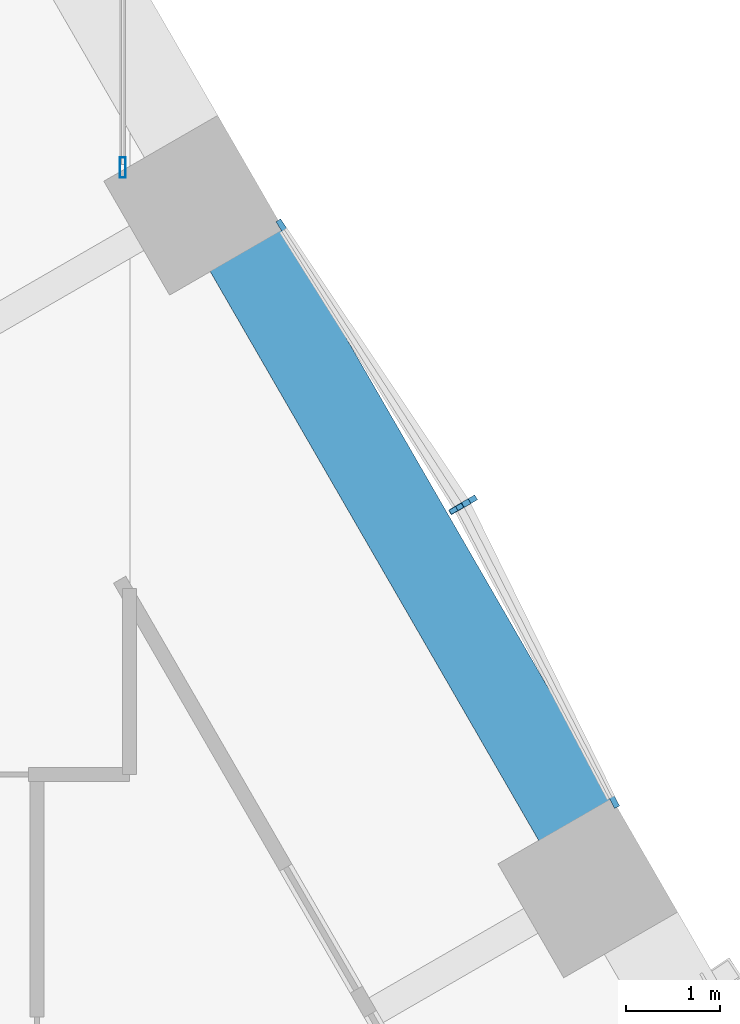
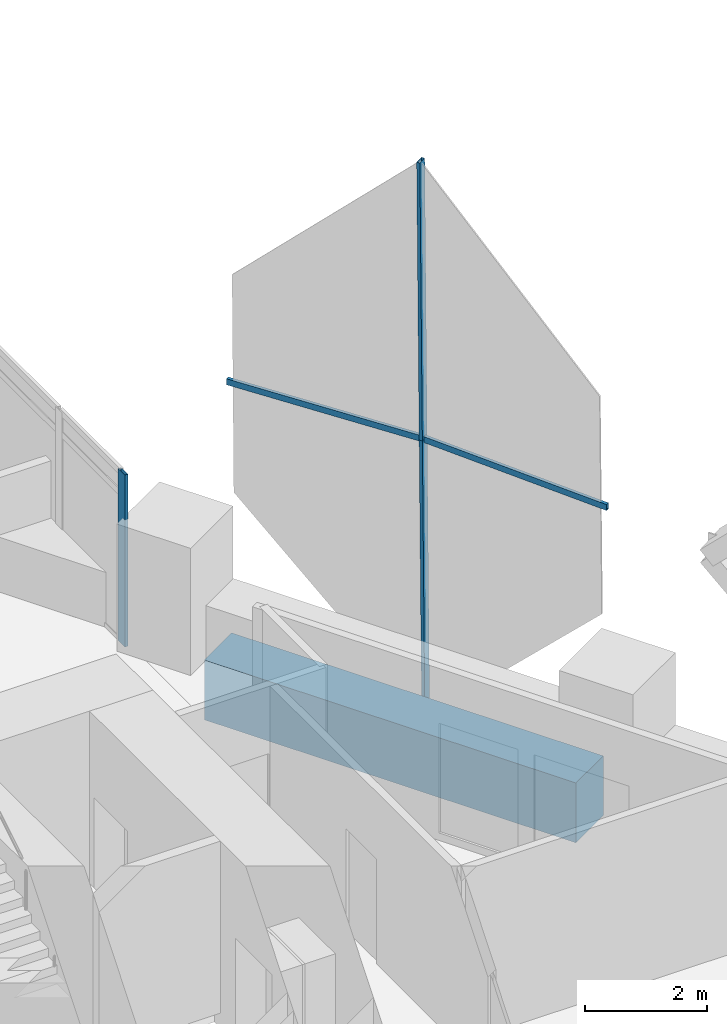
# One storey, part 20 of 35: 5 members, 1 beam, 3 elements without a shape of their own.
"""IFC4 building model written with IfcOpenShell, lengths in metres."""

import ifcopenshell
import ifcopenshell.guid

model = None  # the IFC model being written
_history = None  # IfcOwnerHistory: only IFC2X3 demands one
_inside = {}  # id of a spatial element -> (the spatial element, [elements in it])
_under = {}  # id of a project, library or spatial element -> (it, [spatial elements below it])
_declared = {}  # id of a project -> (the project, [libraries it declares])
_typed = {}  # id of a type object -> (the type object, [elements of that type])
_made_of = {}  # id of a material, layer set ... -> (it, [elements and type objects made of it])


def new_model(schema):
    """Start an empty IFC model of exactly this schema.

    Asked for "IFC4X3", IfcOpenShell would pick the latest addendum, in which some entities
    have other attributes; the version numbers below select the first issue.
    IFC2X3 requires an IfcOwnerHistory on every rooted entity: one is made here for all.
    """
    global model, _history
    if schema == "IFC4X3":
        model = ifcopenshell.file(schema_version=(4, 3, 0, 0))
    else:
        model = ifcopenshell.file(schema=schema)
    _inside.clear()
    _under.clear()
    _declared.clear()
    _typed.clear()
    _made_of.clear()
    _history = None
    if model.schema == "IFC2X3":
        org = make("IfcOrganization", Name="unknown")
        user = make(
            "IfcPersonAndOrganization",
            ThePerson=make("IfcPerson", FamilyName="unknown"),
            TheOrganization=org,
        )
        app = make(
            "IfcApplication",
            ApplicationDeveloper=org,
            Version="unknown",
            ApplicationFullName="unknown",
            ApplicationIdentifier="unknown",
        )
        _history = make(
            "IfcOwnerHistory",
            OwningUser=user,
            OwningApplication=app,
            ChangeAction="ADDED",
            CreationDate=0,
        )
    return model


def make(cls, **values):
    """One entity of the class cls with the attributes given. An attribute that is None is left unset."""
    return model.create_entity(
        cls, **{name: value for name, value in values.items() if value is not None}
    )


def rooted(cls, **values):
    """An entity with a GlobalId (a new one), such as an element, a storey or a relation."""
    return make(cls, GlobalId=ifcopenshell.guid.new(), OwnerHistory=_history, **values)


def si_unit(unit_type, name, prefix=None):
    """IfcSIUnit, for example si_unit("LENGTHUNIT", "METRE", prefix="MILLI")."""
    return make("IfcSIUnit", UnitType=unit_type, Prefix=prefix, Name=name)


def assignment(units):
    """IfcUnitAssignment: the units of a project."""
    return None if units is None else make("IfcUnitAssignment", Units=units)


def point(xyz):
    """IfcCartesianPoint."""
    return None if xyz is None else make("IfcCartesianPoint", Coordinates=xyz)


def direction(xyz):
    """IfcDirection."""
    return None if xyz is None else make("IfcDirection", DirectionRatios=xyz)


def frame(location, z_axis=None, x_axis=None):
    """IfcAxis2Placement3D, a coordinate frame: its origin and axes. An axis left out is left unset."""
    return make(
        "IfcAxis2Placement3D",
        Location=point(location),
        Axis=direction(z_axis),
        RefDirection=direction(x_axis),
    )


def frame_2d(location, x_axis=None):
    """IfcAxis2Placement2D, a coordinate frame in the plane: its origin and x axis."""
    return make(
        "IfcAxis2Placement2D", Location=point(location), RefDirection=direction(x_axis)
    )


def origin():
    """The frame at (0, 0, 0) with its axes left unset."""
    return frame((0.0, 0.0, 0.0))


def origin_2d():
    """The frame at (0, 0) in the plane with its x axis left unset."""
    return frame_2d((0.0, 0.0))


def place(relative_to, where):
    """IfcLocalPlacement: puts the frame where relative to a parent placement (None: the world)."""
    return make(
        "IfcLocalPlacement", PlacementRelTo=relative_to, RelativePlacement=where
    )


def context(
    kind, dimensions, precision=None, world=None, true_north=None, identifier=None
):
    """IfcGeometricRepresentationContext, for example the 3D "Model" context."""
    return make(
        "IfcGeometricRepresentationContext",
        ContextIdentifier=identifier,
        ContextType=kind,
        CoordinateSpaceDimension=dimensions,
        Precision=precision,
        WorldCoordinateSystem=world,
        TrueNorth=true_north,
    )


def subcontext(parent, identifier, kind, view, scale=None):
    """IfcGeometricRepresentationSubContext, for example "Body" below "Model"."""
    return make(
        "IfcGeometricRepresentationSubContext",
        ContextIdentifier=identifier,
        ContextType=kind,
        ParentContext=parent,
        TargetScale=scale,
        TargetView=view,
    )


def project(units=None, contexts=None):
    """IfcProject with its units and contexts."""
    return rooted(
        "IfcProject",
        Name="project",
        RepresentationContexts=contexts,
        UnitsInContext=assignment(units),
    )


def spatial(cls, under=None, at=None, **own):
    """A site, building, storey or space (cls), placed at a placement, below another one or the project."""
    s = rooted(cls, ObjectPlacement=at, **own)
    if under is not None:
        _under.setdefault(under.id(), (under, []))[1].append(s)
    return s


def profile(cls, at=None, kind="AREA", **sizes):
    """A parametric profile (cls). Its sizes go by their IFC names, for example OverallWidth=200.0."""
    return make(cls, ProfileType=kind, Position=at, **sizes)


def rectangle(**sizes):
    """IfcRectangleProfileDef."""
    return profile("IfcRectangleProfileDef", **sizes)


def hollow_rectangle(**sizes):
    """IfcRectangleHollowProfileDef."""
    return profile("IfcRectangleHollowProfileDef", **sizes)


def extrude(swept, where, along, depth):
    """IfcExtrudedAreaSolid: the profile swept, set in the frame where, extruded along a direction by depth."""
    return make(
        "IfcExtrudedAreaSolid",
        SweptArea=swept,
        Position=where,
        ExtrudedDirection=direction(along),
        Depth=depth,
    )


def shape(context_of_items, identifier, shape_type, items):
    """IfcShapeRepresentation: the items that make up one representation, for example the "Body"."""
    return make(
        "IfcShapeRepresentation",
        ContextOfItems=context_of_items,
        RepresentationIdentifier=identifier,
        RepresentationType=shape_type,
        Items=items,
    )


def material(Name=None, Category=None):
    """IfcMaterial."""
    return make("IfcMaterial", Name=Name, Category=Category)


def material_profile(
    of_material, cross_section, Name=None, Category=None, Priority=None
):
    """IfcMaterialProfile: a cross section and its material."""
    return make(
        "IfcMaterialProfile",
        Name=Name,
        Material=of_material,
        Profile=cross_section,
        Priority=Priority,
        Category=Category,
    )


def profile_set(profiles, Name=None, composite=None):
    """IfcMaterialProfileSet."""
    return make(
        "IfcMaterialProfileSet",
        Name=Name,
        MaterialProfiles=profiles,
        CompositeProfile=composite,
    )


def made_of(thing, what):
    """Note that an element or type object is made of a material, layer set ...; save() writes the relation."""
    if what is not None:
        _made_of.setdefault(what.id(), (what, []))[1].append(thing)
    return thing


def type_object(cls, material=None, **own):
    """A type object (cls), such as IfcWallType, which elements share."""
    return made_of(rooted(cls, **own), material)


def element(
    cls,
    number,
    at=None,
    inside=None,
    cuts=None,
    type_object=None,
    material=None,
    context=None,
    identifier="Body",
    shape_type=None,
    held_by="IfcProductDefinitionShape",
    body=None,
    shapes=None,
    **own,
):
    """One element of the class cls, such as IfcWall. Its Tag is "e" and its number.

    at: its placement. inside: the storey or other place that contains it. cuts: it is an
    opening in that element (IfcRelVoidsElement). A single representation is given by context,
    identifier, shape_type and body (its items); several are given by shapes. held_by: the class
    of the entity that holds the representations. save() writes the other relations.
    """
    e = rooted(cls, Tag="e%d" % number, ObjectPlacement=at, **own)
    if body is not None:
        shapes = [shape(context, identifier, shape_type, body)]
    if shapes is not None:
        e.Representation = make(held_by, Representations=shapes)
    if inside is not None:
        _inside.setdefault(inside.id(), (inside, []))[1].append(e)
    if cuts is not None:
        rooted(
            "IfcRelVoidsElement", RelatingBuildingElement=cuts, RelatedOpeningElement=e
        )
    if type_object is not None:
        _typed.setdefault(type_object.id(), (type_object, []))[1].append(e)
    return made_of(e, material)


def aggregate(whole, parts):
    """IfcRelAggregates: a whole, such as a stair, and the parts it consists of."""
    return rooted("IfcRelAggregates", RelatingObject=whole, RelatedObjects=parts)


def save(model, path):
    """Write the relations noted so far, then the file.

    IfcRelAggregates (storeys below a building ...), IfcRelContainedInSpatialStructure (elements
    in a storey), IfcRelDefinesByType, IfcRelAssociatesMaterial and IfcRelDeclares: one each for
    every whole, place, type object, material and project.
    """
    for whole, parts in _under.values():
        aggregate(whole, parts)
    for where, things in _inside.values():
        rooted(
            "IfcRelContainedInSpatialStructure",
            RelatedElements=things,
            RelatingStructure=where,
        )
    for kind, things in _typed.values():
        rooted("IfcRelDefinesByType", RelatedObjects=things, RelatingType=kind)
    for what, things in _made_of.values():
        rooted("IfcRelAssociatesMaterial", RelatedObjects=things, RelatingMaterial=what)
    for by, libraries in _declared.values():
        rooted("IfcRelDeclares", RelatingContext=by, RelatedDefinitions=libraries)
    model.write(path)


model = new_model("IFC4")

# Units and contexts
model_context = context("Model", 3, precision=1e-05, world=origin(), true_north=direction((0.0, 1.0)))
body_context = subcontext(model_context, "Body", "Model", "MODEL_VIEW")
ifc_project = project(units=[si_unit("LENGTHUNIT", "METRE"), si_unit("AREAUNIT", "SQUARE_METRE"), si_unit("VOLUMEUNIT", "CUBIC_METRE"), si_unit("PLANEANGLEUNIT", "RADIAN"), si_unit("MASSUNIT", "GRAM", prefix="KILO")], contexts=[model_context])

# Site, building, storey
site_placement = place(None, origin())
site = spatial("IfcSite", under=ifc_project, at=site_placement, CompositionType="ELEMENT")
building_placement = place(site_placement, origin())
building = spatial("IfcBuilding", under=site, at=building_placement, Name="Ostrander Bayou Hotel Tower", CompositionType="ELEMENT")
storey_placement = place(building_placement, frame((0.0, 0.0, 69.25)))
storey = spatial("IfcBuildingStorey", under=building, at=storey_placement, Name="L17", CompositionType="ELEMENT", Elevation=69.25)

# Curtain wall, member
ifc_material_1 = material(Name="Aluminium and clear glass", Category="aluminium")
curtain_wall_type_1 = type_object("IfcCurtainWallType", Name="CW-BAR glazed wall", PredefinedType="NOTDEFINED", material=ifc_material_1)
curtain_wall_1_placement = place(storey_placement, origin())
curtain_wall_1 = element("IfcCurtainWall", 1, at=curtain_wall_1_placement, inside=storey, type_object=curtain_wall_type_1, Name="CW-BAR L17:SB1N:W", PredefinedType="NOTDEFINED")
ifc_material_2 = material(Name="Aluminium", Category="aluminium")
ifc_material_profile_1 = material_profile(ifc_material_2, hollow_rectangle(XDim=0.06005859375, YDim=0.219970703125, WallThickness=0.00390625, at=origin_2d()))
ifc_profile_set_1 = profile_set([ifc_material_profile_1], Name="Aluminium")
member_type_1 = type_object("IfcMemberType", Name="CW-BR mullion 60 x 220 mm", PredefinedType="MULLION", material=ifc_profile_set_1)
member_1_placement = place(storey_placement, frame((14.712158203125, 14.1767578125, 0.0), z_axis=(0.0, 0.0, 1.0), x_axis=(-1.0, 0.0, 0.0)))
member_1 = element("IfcMember", 2, at=member_1_placement, type_object=member_type_1, Name="CW-BAR mullion 1", PredefinedType="MULLION", context=body_context, shape_type="SweptSolid", body=[
    extrude(hollow_rectangle(XDim=0.06005859375, YDim=0.219970703125, WallThickness=0.00390625, at=origin_2d()), origin(), (0.0, 0.0, 1.0), 3.449951171875),
])
aggregate(curtain_wall_1, [member_1])

# Curtain wall, members
ifc_material_3 = material(Name="Aluminium and clear glass", Category="aluminium")
curtain_wall_type_2 = type_object("IfcCurtainWallType", Name="CW-LAT lattice glazing", PredefinedType="NOTDEFINED", material=ifc_material_3)
curtain_wall_2_placement = place(storey_placement, origin())
curtain_wall_2 = element("IfcCurtainWall", 3, at=curtain_wall_2_placement, inside=storey, type_object=curtain_wall_type_2, Name="CW-LAT L17 NE 1", PredefinedType="NOTDEFINED")
ifc_material_4 = material(Name="Aluminium", Category="aluminium")
ifc_material_profile_2 = material_profile(ifc_material_4, hollow_rectangle(XDim=0.06005859375, YDim=0.159912109375, WallThickness=0.00390625, at=origin_2d()))
ifc_profile_set_2 = profile_set([ifc_material_profile_2], Name="Aluminium")
member_type_2 = type_object("IfcMemberType", Name="CW-LA mullion 60 x 160 mm", PredefinedType="MULLION", material=ifc_profile_set_2)
member_2_placement = place(storey_placement, frame((18.404541015625, 10.6259765625, -0.60009765625), z_axis=(-0.012585474108, -0.007290895345, 0.999894218748), x_axis=(0.501271486133, -0.865290065348, 0.0)))
member_2 = element("IfcMember", 4, at=member_2_placement, type_object=member_type_2, Name="CW-LAT mullion 4", PredefinedType="MULLION", context=body_context, shape_type="SweptSolid", body=[
    extrude(hollow_rectangle(XDim=0.06005859375, YDim=0.159912109375, WallThickness=0.00390625, at=origin_2d()), origin(), (0.0, 0.0, 1.0), 5.62548828125),
])
member_3_placement = place(storey_placement, frame((18.333740234375, 10.5849609375, 5.02490234375), z_axis=(-0.012628865384, -0.007290891356, 0.999893671678), x_axis=(0.499980071345, -0.866036909293, 0.0)))
member_3 = element("IfcMember", 5, at=member_3_placement, type_object=member_type_2, Name="CW-LAT mullion 5", PredefinedType="MULLION", context=body_context, shape_type="SweptSolid", body=[
    extrude(hollow_rectangle(XDim=0.06005859375, YDim=0.159912109375, WallThickness=0.00390625, at=origin_2d()), origin(), (0.0, 0.0, 1.0), 5.62548828125),
])
aggregate(curtain_wall_2, [member_2, member_3])

curtain_wall_3_placement = place(storey_placement, origin())
curtain_wall_3 = element("IfcCurtainWall", 6, at=curtain_wall_3_placement, inside=storey, type_object=curtain_wall_type_2, Name="CW-LAT L17 NE 2", PredefinedType="NOTDEFINED")
ifc_material_5 = material(Name="Aluminium", Category="aluminium")
ifc_material_profile_3 = material_profile(ifc_material_5, hollow_rectangle(XDim=0.06005859375, YDim=0.1201171875, WallThickness=0.00390625, at=origin_2d()))
ifc_profile_set_3 = profile_set([ifc_material_profile_3], Name="Aluminium")
member_type_3 = type_object("IfcMemberType", Name="CW-LA transom 60 x 120 mm", PredefinedType="USERDEFINED", material=ifc_profile_set_3)
member_4_placement = place(storey_placement, frame((18.333740234375, 10.5849609375, 5.02490234375), z_axis=(0.454177976608, -0.890910975106, 0.0), x_axis=(0.890910975106, 0.454177976608, 0.0)))
member_4 = element("IfcMember", 7, at=member_4_placement, type_object=member_type_3, Name="CW-LAT transom 6", ObjectType="TRANSOM", PredefinedType="USERDEFINED", context=body_context, shape_type="SweptSolid", body=[
    extrude(hollow_rectangle(XDim=0.06005859375, YDim=0.1201171875, WallThickness=0.00390625, at=origin_2d()), origin(), (0.0, 0.0, 1.0), 3.610595703125),
])
member_5_placement = place(storey_placement, frame((18.333740234375, 10.5849609375, 5.02490234375), z_axis=(-0.544470173965, 0.838780203428, 0.0), x_axis=(-0.838780203428, -0.544470173965, 0.0)))
member_5 = element("IfcMember", 8, at=member_5_placement, type_object=member_type_3, Name="CW-LAT transom 7", ObjectType="TRANSOM", PredefinedType="USERDEFINED", context=body_context, shape_type="SweptSolid", body=[
    extrude(hollow_rectangle(XDim=0.06005859375, YDim=0.1201171875, WallThickness=0.00390625, at=origin_2d()), origin(), (0.0, 0.0, 1.0), 3.611083984375),
])
aggregate(curtain_wall_3, [member_4, member_5])

# Beam
ifc_material_6 = material(Name="Concrete f'c 70 MPa", Category="concrete")
ifc_material_profile_4 = material_profile(ifc_material_6, rectangle(XDim=0.89990234375, YDim=1.199951171875, at=origin_2d()))
ifc_profile_set_4 = profile_set([ifc_material_profile_4], Name="Concrete f'c 70 MPa")
beam_type = type_object("IfcBeamType", Name="SP1 spandrel beam 900 x 1200 mm f'c 70 MPa", PredefinedType="SPANDREL", material=ifc_profile_set_4)
beam_placement = place(storey_placement, frame((19.543701171875, 7.212890625, -0.60009765625), z_axis=(-0.499997206141, 0.866027016814, 0.0), x_axis=(-0.866027016814, -0.499997206141, 0.0)))
element("IfcBeam", 9, at=beam_placement, inside=storey, type_object=beam_type, Name="SP1 L17 NE-2", PredefinedType="SPANDREL", context=body_context, shape_type="SweptSolid", body=[
    extrude(rectangle(XDim=0.89990234375, YDim=1.199951171875, at=origin_2d()), origin(), (0.0, 0.0, 1.0), 7.05078125),
])

save(model, "model.ifc")
